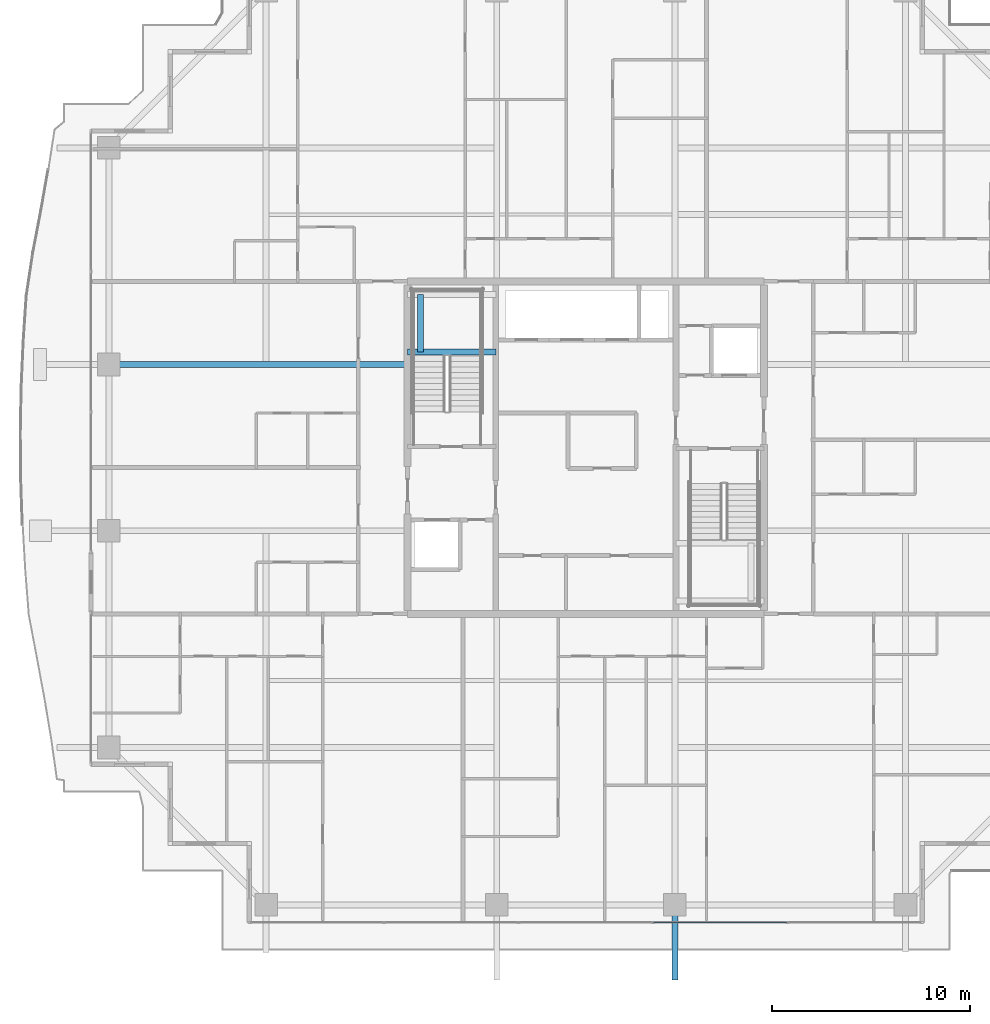
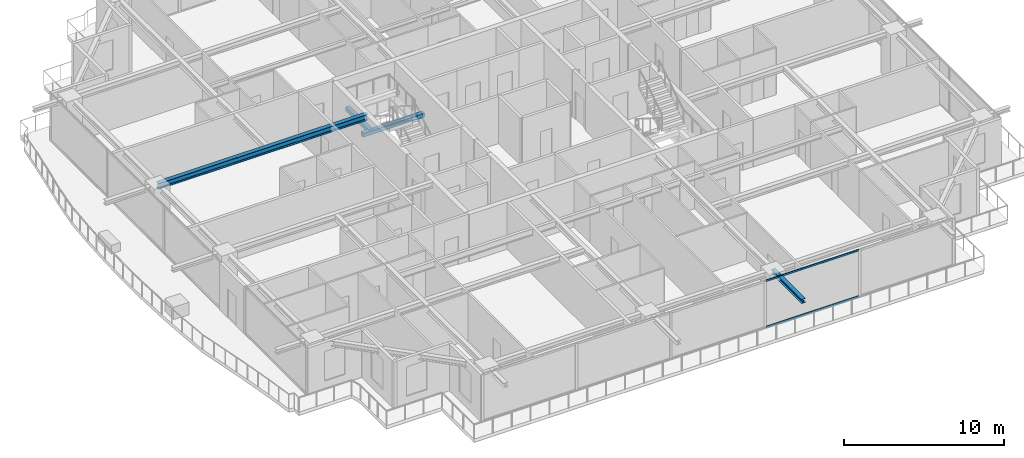
# One storey, part 11 of 39: 4 beams, 2 members, 1 element without a shape of its own.
"""IFC4 building model written with IfcOpenShell, lengths in metres."""

import ifcopenshell
import ifcopenshell.guid

model = None  # the IFC model being written
_history = None  # IfcOwnerHistory: only IFC2X3 demands one
_inside = {}  # id of a spatial element -> (the spatial element, [elements in it])
_under = {}  # id of a project, library or spatial element -> (it, [spatial elements below it])
_declared = {}  # id of a project -> (the project, [libraries it declares])
_typed = {}  # id of a type object -> (the type object, [elements of that type])
_made_of = {}  # id of a material, layer set ... -> (it, [elements and type objects made of it])


def new_model(schema):
    """Start an empty IFC model of exactly this schema.

    Asked for "IFC4X3", IfcOpenShell would pick the latest addendum, in which some entities
    have other attributes; the version numbers below select the first issue.
    IFC2X3 requires an IfcOwnerHistory on every rooted entity: one is made here for all.
    """
    global model, _history
    if schema == "IFC4X3":
        model = ifcopenshell.file(schema_version=(4, 3, 0, 0))
    else:
        model = ifcopenshell.file(schema=schema)
    _inside.clear()
    _under.clear()
    _declared.clear()
    _typed.clear()
    _made_of.clear()
    _history = None
    if model.schema == "IFC2X3":
        org = make("IfcOrganization", Name="unknown")
        user = make(
            "IfcPersonAndOrganization",
            ThePerson=make("IfcPerson", FamilyName="unknown"),
            TheOrganization=org,
        )
        app = make(
            "IfcApplication",
            ApplicationDeveloper=org,
            Version="unknown",
            ApplicationFullName="unknown",
            ApplicationIdentifier="unknown",
        )
        _history = make(
            "IfcOwnerHistory",
            OwningUser=user,
            OwningApplication=app,
            ChangeAction="ADDED",
            CreationDate=0,
        )
    return model


def make(cls, **values):
    """One entity of the class cls with the attributes given. An attribute that is None is left unset."""
    return model.create_entity(
        cls, **{name: value for name, value in values.items() if value is not None}
    )


def rooted(cls, **values):
    """An entity with a GlobalId (a new one), such as an element, a storey or a relation."""
    return make(cls, GlobalId=ifcopenshell.guid.new(), OwnerHistory=_history, **values)


def si_unit(unit_type, name, prefix=None):
    """IfcSIUnit, for example si_unit("LENGTHUNIT", "METRE", prefix="MILLI")."""
    return make("IfcSIUnit", UnitType=unit_type, Prefix=prefix, Name=name)


def assignment(units):
    """IfcUnitAssignment: the units of a project."""
    return None if units is None else make("IfcUnitAssignment", Units=units)


def point(xyz):
    """IfcCartesianPoint."""
    return None if xyz is None else make("IfcCartesianPoint", Coordinates=xyz)


def direction(xyz):
    """IfcDirection."""
    return None if xyz is None else make("IfcDirection", DirectionRatios=xyz)


def frame(location, z_axis=None, x_axis=None):
    """IfcAxis2Placement3D, a coordinate frame: its origin and axes. An axis left out is left unset."""
    return make(
        "IfcAxis2Placement3D",
        Location=point(location),
        Axis=direction(z_axis),
        RefDirection=direction(x_axis),
    )


def frame_2d(location, x_axis=None):
    """IfcAxis2Placement2D, a coordinate frame in the plane: its origin and x axis."""
    return make(
        "IfcAxis2Placement2D", Location=point(location), RefDirection=direction(x_axis)
    )


def origin():
    """The frame at (0, 0, 0) with its axes left unset."""
    return frame((0.0, 0.0, 0.0))


def origin_2d():
    """The frame at (0, 0) in the plane with its x axis left unset."""
    return frame_2d((0.0, 0.0))


def place(relative_to, where):
    """IfcLocalPlacement: puts the frame where relative to a parent placement (None: the world)."""
    return make(
        "IfcLocalPlacement", PlacementRelTo=relative_to, RelativePlacement=where
    )


def context(
    kind, dimensions, precision=None, world=None, true_north=None, identifier=None
):
    """IfcGeometricRepresentationContext, for example the 3D "Model" context."""
    return make(
        "IfcGeometricRepresentationContext",
        ContextIdentifier=identifier,
        ContextType=kind,
        CoordinateSpaceDimension=dimensions,
        Precision=precision,
        WorldCoordinateSystem=world,
        TrueNorth=true_north,
    )


def subcontext(parent, identifier, kind, view, scale=None):
    """IfcGeometricRepresentationSubContext, for example "Body" below "Model"."""
    return make(
        "IfcGeometricRepresentationSubContext",
        ContextIdentifier=identifier,
        ContextType=kind,
        ParentContext=parent,
        TargetScale=scale,
        TargetView=view,
    )


def project(units=None, contexts=None):
    """IfcProject with its units and contexts."""
    return rooted(
        "IfcProject",
        Name="project",
        RepresentationContexts=contexts,
        UnitsInContext=assignment(units),
    )


def spatial(cls, under=None, at=None, **own):
    """A site, building, storey or space (cls), placed at a placement, below another one or the project."""
    s = rooted(cls, ObjectPlacement=at, **own)
    if under is not None:
        _under.setdefault(under.id(), (under, []))[1].append(s)
    return s


def profile(cls, at=None, kind="AREA", **sizes):
    """A parametric profile (cls). Its sizes go by their IFC names, for example OverallWidth=200.0."""
    return make(cls, ProfileType=kind, Position=at, **sizes)


def rectangle(**sizes):
    """IfcRectangleProfileDef."""
    return profile("IfcRectangleProfileDef", **sizes)


def hollow_rectangle(**sizes):
    """IfcRectangleHollowProfileDef."""
    return profile("IfcRectangleHollowProfileDef", **sizes)


def i_section(**sizes):
    """IfcIShapeProfileDef."""
    return profile("IfcIShapeProfileDef", **sizes)


def extrude(swept, where, along, depth):
    """IfcExtrudedAreaSolid: the profile swept, set in the frame where, extruded along a direction by depth."""
    return make(
        "IfcExtrudedAreaSolid",
        SweptArea=swept,
        Position=where,
        ExtrudedDirection=direction(along),
        Depth=depth,
    )


def shape(context_of_items, identifier, shape_type, items):
    """IfcShapeRepresentation: the items that make up one representation, for example the "Body"."""
    return make(
        "IfcShapeRepresentation",
        ContextOfItems=context_of_items,
        RepresentationIdentifier=identifier,
        RepresentationType=shape_type,
        Items=items,
    )


def source(mapping_origin, context_of_items, identifier, shape_type, items):
    """IfcRepresentationMap: a shape defined once, which mapped items show again and again."""
    return make(
        "IfcRepresentationMap",
        MappingOrigin=mapping_origin,
        MappedRepresentation=shape(context_of_items, identifier, shape_type, items),
    )


def transform(
    local_origin,
    x_axis=None,
    y_axis=None,
    z_axis=None,
    scale=None,
    scale2=None,
    scale3=None,
    uniform=True,
):
    """IfcCartesianTransformationOperator3D, or its non-uniform kind. x_axis, y_axis, z_axis: its Axis1, 2, 3."""
    if uniform:
        return make(
            "IfcCartesianTransformationOperator3D",
            Axis1=direction(x_axis),
            Axis2=direction(y_axis),
            LocalOrigin=point(local_origin),
            Scale=scale,
            Axis3=direction(z_axis),
        )
    return make(
        "IfcCartesianTransformationOperator3DnonUniform",
        Axis1=direction(x_axis),
        Axis2=direction(y_axis),
        LocalOrigin=point(local_origin),
        Scale=scale,
        Axis3=direction(z_axis),
        Scale2=scale2,
        Scale3=scale3,
    )


def mapped(mapping_source, mapping_target):
    """IfcMappedItem: shows the shape of a source again, moved by a transform."""
    return make(
        "IfcMappedItem", MappingSource=mapping_source, MappingTarget=mapping_target
    )


def material(Name=None, Category=None):
    """IfcMaterial."""
    return make("IfcMaterial", Name=Name, Category=Category)


def layer(
    of_material, thickness, ventilated=None, Name=None, Category=None, Priority=None
):
    """IfcMaterialLayer: one layer of a wall or slab, of a material (None: an air gap)."""
    return make(
        "IfcMaterialLayer",
        Material=of_material,
        LayerThickness=thickness,
        IsVentilated=ventilated,
        Name=Name,
        Category=Category,
        Priority=Priority,
    )


def layer_set(layers, Name=None):
    """IfcMaterialLayerSet."""
    return make("IfcMaterialLayerSet", MaterialLayers=layers, LayerSetName=Name)


def material_profile(
    of_material, cross_section, Name=None, Category=None, Priority=None
):
    """IfcMaterialProfile: a cross section and its material."""
    return make(
        "IfcMaterialProfile",
        Name=Name,
        Material=of_material,
        Profile=cross_section,
        Priority=Priority,
        Category=Category,
    )


def profile_set(profiles, Name=None, composite=None):
    """IfcMaterialProfileSet."""
    return make(
        "IfcMaterialProfileSet",
        Name=Name,
        MaterialProfiles=profiles,
        CompositeProfile=composite,
    )


def made_of(thing, what):
    """Note that an element or type object is made of a material, layer set ...; save() writes the relation."""
    if what is not None:
        _made_of.setdefault(what.id(), (what, []))[1].append(thing)
    return thing


def type_object(cls, material=None, **own):
    """A type object (cls), such as IfcWallType, which elements share."""
    return made_of(rooted(cls, **own), material)


def element(
    cls,
    number,
    at=None,
    inside=None,
    cuts=None,
    type_object=None,
    material=None,
    context=None,
    identifier="Body",
    shape_type=None,
    held_by="IfcProductDefinitionShape",
    body=None,
    shapes=None,
    **own,
):
    """One element of the class cls, such as IfcWall. Its Tag is "e" and its number.

    at: its placement. inside: the storey or other place that contains it. cuts: it is an
    opening in that element (IfcRelVoidsElement). A single representation is given by context,
    identifier, shape_type and body (its items); several are given by shapes. held_by: the class
    of the entity that holds the representations. save() writes the other relations.
    """
    e = rooted(cls, Tag="e%d" % number, ObjectPlacement=at, **own)
    if body is not None:
        shapes = [shape(context, identifier, shape_type, body)]
    if shapes is not None:
        e.Representation = make(held_by, Representations=shapes)
    if inside is not None:
        _inside.setdefault(inside.id(), (inside, []))[1].append(e)
    if cuts is not None:
        rooted(
            "IfcRelVoidsElement", RelatingBuildingElement=cuts, RelatedOpeningElement=e
        )
    if type_object is not None:
        _typed.setdefault(type_object.id(), (type_object, []))[1].append(e)
    return made_of(e, material)


def aggregate(whole, parts):
    """IfcRelAggregates: a whole, such as a stair, and the parts it consists of."""
    return rooted("IfcRelAggregates", RelatingObject=whole, RelatedObjects=parts)


def save(model, path):
    """Write the relations noted so far, then the file.

    IfcRelAggregates (storeys below a building ...), IfcRelContainedInSpatialStructure (elements
    in a storey), IfcRelDefinesByType, IfcRelAssociatesMaterial and IfcRelDeclares: one each for
    every whole, place, type object, material and project.
    """
    for whole, parts in _under.values():
        aggregate(whole, parts)
    for where, things in _inside.values():
        rooted(
            "IfcRelContainedInSpatialStructure",
            RelatedElements=things,
            RelatingStructure=where,
        )
    for kind, things in _typed.values():
        rooted("IfcRelDefinesByType", RelatedObjects=things, RelatingType=kind)
    for what, things in _made_of.values():
        rooted("IfcRelAssociatesMaterial", RelatedObjects=things, RelatingMaterial=what)
    for by, libraries in _declared.values():
        rooted("IfcRelDeclares", RelatingContext=by, RelatedDefinitions=libraries)
    model.write(path)


model = new_model("IFC4")

# Units and contexts
model_context = context("Model", 3, precision=1e-05, world=origin(), true_north=direction((0.0, 1.0)))
body_context = subcontext(model_context, "Body", "Model", "MODEL_VIEW")
ifc_project = project(units=[si_unit("LENGTHUNIT", "METRE"), si_unit("AREAUNIT", "SQUARE_METRE"), si_unit("VOLUMEUNIT", "CUBIC_METRE"), si_unit("PLANEANGLEUNIT", "RADIAN"), si_unit("MASSUNIT", "GRAM", prefix="KILO")], contexts=[model_context])

# Site, building, storey
site_placement = place(None, origin())
site = spatial("IfcSite", under=ifc_project, at=site_placement, CompositionType="ELEMENT")
building_placement = place(site_placement, origin())
building = spatial("IfcBuilding", under=site, at=building_placement, Name="Serunith Strait Residences", CompositionType="ELEMENT")
storey_placement = place(building_placement, frame((0.0, 0.0, 222.0)))
storey = spatial("IfcBuildingStorey", under=building, at=storey_placement, Name="L55", CompositionType="ELEMENT", Elevation=222.0)

# Beams
ifc_material_1 = material(Name="Steel S355J2", Category="steel")
ifc_material_profile_1 = material_profile(ifc_material_1, i_section(OverallWidth=0.300048828125, OverallDepth=0.449951171875, WebThickness=0.013916015625, FlangeThickness=0.02587890625, FilletRadius=0.027099609375, at=origin_2d()), Name="HEB 450")
ifc_profile_set_1 = profile_set([ifc_material_profile_1], Name="Steel S355J2")
beam_type_1 = type_object("IfcBeamType", Name="BM-HEB450", PredefinedType="BEAM", material=ifc_profile_set_1)
shared_shape_1 = source(origin(), body_context, "Body", "SweptSolid", [
    extrude(i_section(OverallWidth=0.300048828125, OverallDepth=0.449951171875, WebThickness=0.013916015625, FlangeThickness=0.02587890625, FilletRadius=0.027099609375, at=origin_2d()), origin(), (0.0, 0.0, 1.0), 15.099853515625),
])
beam_1_placement = place(storey_placement, frame((23.39990234375, 29.39990234375, 3.362060546875), z_axis=(-1.0, 0.0, 0.0), x_axis=(0.0, -1.0, 0.0)))
element("IfcBeam", 1, at=beam_1_placement, inside=storey, type_object=beam_type_1, Name="L55 Primary Floor Girder TC-W3", PredefinedType="BEAM", context=body_context, shape_type="MappedRepresentation", body=[
    mapped(shared_shape_1, transform((0.0, 0.0, 0.0), scale=1.0)),
])
ifc_material_profile_2 = material_profile(ifc_material_1, i_section(OverallWidth=0.300048828125, OverallDepth=0.320068359375, WebThickness=0.011474609375, FlangeThickness=0.0205078125, FilletRadius=0.027099609375, at=origin_2d()), Name="HEB 320")
ifc_profile_set_2 = profile_set([ifc_material_profile_2], Name="Steel S355J2")
beam_type_2 = type_object("IfcBeamType", Name="BM-HEB320", PredefinedType="BEAM", material=ifc_profile_set_2)
shared_shape_2 = source(origin(), body_context, "Body", "SweptSolid", [
    extrude(i_section(OverallWidth=0.300048828125, OverallDepth=0.320068359375, WebThickness=0.011474609375, FlangeThickness=0.0205078125, FilletRadius=0.027099609375, at=origin_2d()), origin(), (0.0, 0.0, 1.0), 3.800048828125),
])
beam_2_placement = place(storey_placement, frame((36.89990234375, 2.10009765625, 3.39697265625), z_axis=(0.0, -1.0, 0.0), x_axis=(1.0, 0.0, 0.0)))
element("IfcBeam", 2, at=beam_2_placement, inside=storey, type_object=beam_type_2, Name="L56 Cantilevered Balcony Rib TC-S3", PredefinedType="BEAM", context=body_context, shape_type="MappedRepresentation", body=[
    mapped(shared_shape_2, transform((0.0, 0.0, 0.0), scale=1.0)),
])
ifc_material_2 = material(Name="Concrete C60/75", Category="concrete")
ifc_material_profile_3 = material_profile(ifc_material_2, rectangle(XDim=0.300048828125, YDim=0.300048828125, at=origin_2d()), Name="RC 300x300")
ifc_profile_set_3 = profile_set([ifc_material_profile_3], Name="Concrete C60/75")
beam_type_3 = type_object("IfcBeamType", Name="BM-LAND-300x300", PredefinedType="BEAM", material=ifc_profile_set_3)
shared_shape_3 = source(origin(), body_context, "Body", "SweptSolid", [
    extrude(rectangle(XDim=0.300048828125, YDim=0.300048828125, at=origin_2d()), origin(), (0.0, 0.0, 1.0), 4.4501953125),
])
beam_3_placement = place(storey_placement, frame((23.39990234375, 30.030029296875, 1.574951171875), z_axis=(1.0, 0.0, 0.0), x_axis=(0.0, 1.0, 0.0)))
element("IfcBeam", 3, at=beam_3_placement, inside=storey, type_object=beam_type_3, Name="L55 ST-1 Landing Support Beam 1", PredefinedType="BEAM", context=body_context, shape_type="MappedRepresentation", body=[
    mapped(shared_shape_3, transform((0.0, 0.0, 0.0), scale=1.0)),
])
shared_shape_4 = source(origin(), body_context, "Body", "SweptSolid", [
    extrude(rectangle(XDim=0.300048828125, YDim=0.300048828125, at=origin_2d()), origin(), (0.0, 0.0, 1.0), 2.919921875),
])
beam_4_placement = place(storey_placement, frame((24.050048828125, 30.030029296875, 1.574951171875), z_axis=(0.0, 1.0, 0.0), x_axis=(-1.0, 0.0, 0.0)))
element("IfcBeam", 4, at=beam_4_placement, inside=storey, type_object=beam_type_3, Name="L55 ST-1 Landing Transverse Tie Beam", PredefinedType="BEAM", context=body_context, shape_type="MappedRepresentation", body=[
    mapped(shared_shape_4, transform((0.0, 0.0, 0.0), scale=1.0)),
])

# Curtain wall, members
ifc_material_3 = material(Name="Pale-Champagne Anodised Aluminium", Category="aluminium")
ifc_layer = layer(ifc_material_3, 0.199951171875, Name="Pale-Champagne Anodised Aluminium")
ifc_layer_set = layer_set([ifc_layer], Name="Pale-Champagne Anodised Aluminium")
curtain_wall_type = type_object("IfcCurtainWallType", Name="CW-SYS4", PredefinedType="NOTDEFINED", material=ifc_layer_set)
curtain_wall_placement = place(storey_placement, origin())
curtain_wall = element("IfcCurtainWall", 5, at=curtain_wall_placement, inside=storey, type_object=curtain_wall_type, Name="L55 S Unitised Fritted Curtain Wall", PredefinedType="NOTDEFINED")
ifc_material_profile_4 = material_profile(ifc_material_3, hollow_rectangle(XDim=0.06005859375, YDim=0.139892578125, WallThickness=0.00341796875, InnerFilletRadius=0.00537109375, OuterFilletRadius=0.0087890625, at=origin_2d()), Name="ALU 140x60x3.5")
ifc_profile_set_4 = profile_set([ifc_material_profile_4], Name="Pale-Champagne Anodised Aluminium")
member_type = type_object("IfcMemberType", Name="CW-SYS4-TRAN", PredefinedType="USERDEFINED", material=ifc_profile_set_4)
shared_shape_5 = source(origin(), body_context, "Body", "SweptSolid", [
    extrude(hollow_rectangle(XDim=0.06005859375, YDim=0.139892578125, WallThickness=0.00341796875, InnerFilletRadius=0.00537109375, OuterFilletRadius=0.0087890625, at=origin_2d()), origin(), (0.0, 0.0, 1.0), 6.73486328125),
])
member_1_placement = place(storey_placement, frame((35.83251953125, 1.199951171875, 0.030029296875), z_axis=(1.0, 0.0, 0.0), x_axis=(0.0, 1.0, 0.0)))
member_1 = element("IfcMember", 6, at=member_1_placement, type_object=member_type, Name="CW-4 transom 4.1", ObjectType="TRANSOM", PredefinedType="USERDEFINED", context=body_context, shape_type="MappedRepresentation", body=[
    mapped(shared_shape_5, transform((0.0, 0.0, 0.0), scale=1.0)),
])
member_2_placement = place(storey_placement, frame((35.83251953125, 1.199951171875, 3.544921875), z_axis=(1.0, 0.0, 0.0), x_axis=(0.0, 1.0, 0.0)))
member_2 = element("IfcMember", 7, at=member_2_placement, type_object=member_type, Name="CW-4 transom 4.2", ObjectType="TRANSOM", PredefinedType="USERDEFINED", context=body_context, shape_type="MappedRepresentation", body=[
    mapped(shared_shape_5, transform((0.0, 0.0, 0.0), scale=1.0)),
])
aggregate(curtain_wall, [member_1, member_2])

save(model, "model.ifc")
